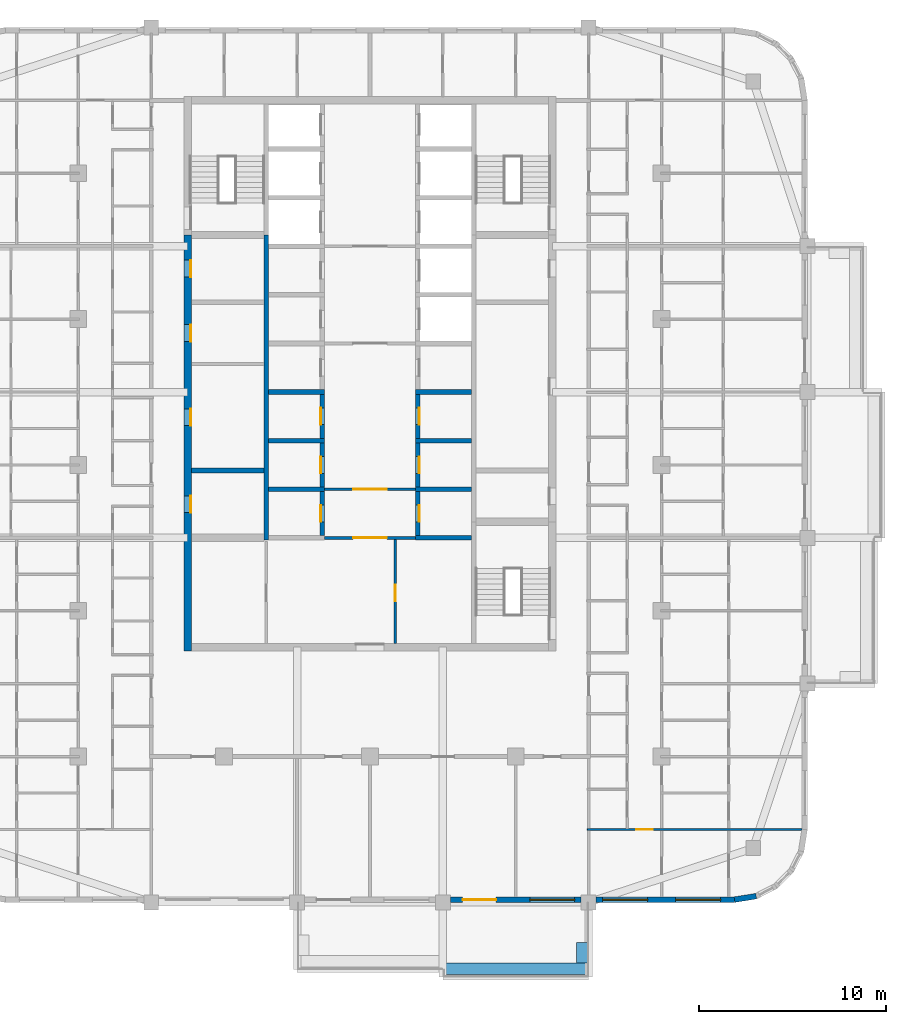
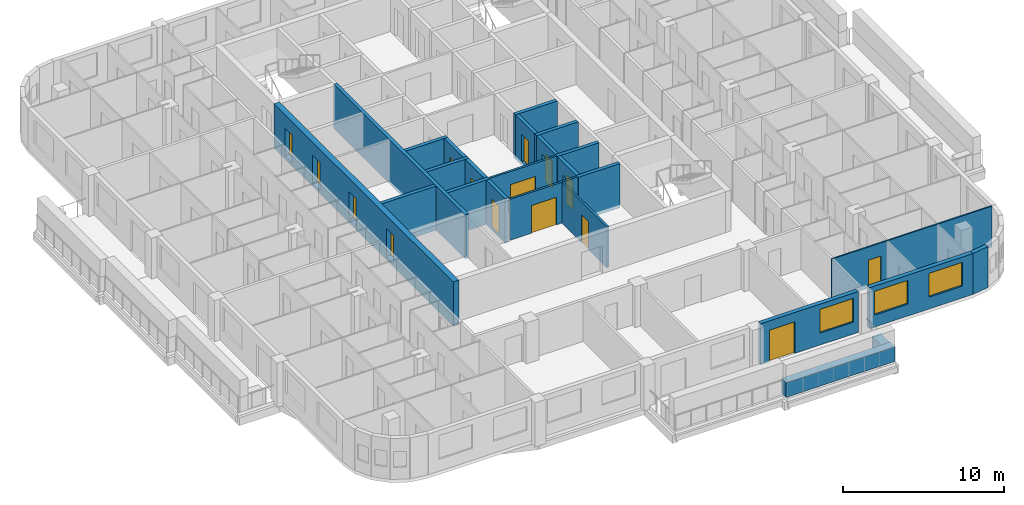
# One storey, part 5 of 16: 25 walls, 15 doors, 3 windows, 18 openings.
"""IFC4 building model written with IfcOpenShell, lengths in metres."""

from ifc_helpers import new_model, si_unit, direction, frame, frame_2d, origin, place, context, subcontext, project, spatial, rectangle, extrude, material, layer, layer_set, type_object, element, fill, save


model = new_model("IFC4")

# Units and contexts
model_context = context("Model", 3, precision=1e-05, world=origin(), true_north=direction((0.0, 1.0)))
body_context = subcontext(model_context, "Body", "Model", "MODEL_VIEW")
ifc_project = project(units=[si_unit("LENGTHUNIT", "METRE"), si_unit("AREAUNIT", "SQUARE_METRE"), si_unit("VOLUMEUNIT", "CUBIC_METRE"), si_unit("PLANEANGLEUNIT", "RADIAN"), si_unit("MASSUNIT", "GRAM", prefix="KILO")], contexts=[model_context])

# Site, building, storey
site_placement = place(None, origin())
site = spatial("IfcSite", under=ifc_project, at=site_placement, CompositionType="ELEMENT")
building_placement = place(site_placement, origin())
building = spatial("IfcBuilding", under=site, at=building_placement, Name="Ludao Terraces", CompositionType="ELEMENT")
storey_placement = place(building_placement, frame((0.0, 0.0, 238.10009765625)))
storey = spatial("IfcBuildingStorey", under=building, at=storey_placement, Name="L65", CompositionType="ELEMENT", Elevation=238.10009765625)

# Wall, openings, doors
ifc_material_1 = material(Name="Concrete C50", Category="concrete")
ifc_layer_1 = layer(ifc_material_1, 0.39990234375)
ifc_layer_set_1 = layer_set([ifc_layer_1], Name="Core wall 400 C50")
wall_type_1 = type_object("IfcWallType", Name="Core wall 400 C50", PredefinedType="SOLIDWALL", material=ifc_layer_set_1)
wall_1_placement = place(storey_placement, frame((75.25, 55.050048828125, -0.25), z_axis=(0.0, 0.0, 1.0), x_axis=(0.0, 1.0, 0.0)))
wall_1 = element("IfcWall", 1, at=wall_1_placement, inside=storey, type_object=wall_type_1, Name="Core wall L65 outer-W", PredefinedType="SOLIDWALL", context=body_context, shape_type="SweptSolid", body=[
    extrude(rectangle(XDim=22.25, YDim=0.39990234375, at=frame_2d((11.125, 0.0))), origin(), (0.0, 0.0, 1.0), 3.349853515625),
])
opening_1_placement = place(wall_1_placement, frame((7.39990234375, 0.0, 0.25)))
opening_1 = element("IfcOpeningElement", 2, at=opening_1_placement, cuts=wall_1, Name="Opening R23-058", PredefinedType="OPENING", context=body_context, shape_type="SweptSolid", body=[
    extrude(rectangle(XDim=0.89990234375, YDim=2.10009765625, at=frame_2d((0.449951171875, 1.050048828125))), frame((0.0, 0.2099609375, 0.0), z_axis=(0.0, -1.0, 0.0), x_axis=(1.0, 0.0, 0.0)), (0.0, 0.0, 1.0), 0.419921875),
])
opening_2_placement = place(wall_1_placement, frame((12.050048828125, 0.0, 0.25)))
opening_2 = element("IfcOpeningElement", 3, at=opening_2_placement, cuts=wall_1, Name="Opening R23-074", PredefinedType="OPENING", context=body_context, shape_type="SweptSolid", body=[
    extrude(rectangle(XDim=0.89990234375, YDim=2.10009765625, at=frame_2d((0.449951171875, 1.050048828125))), frame((0.0, 0.2099609375, 0.0), z_axis=(0.0, -1.0, 0.0), x_axis=(1.0, 0.0, 0.0)), (0.0, 0.0, 1.0), 0.419921875),
])
opening_3_placement = place(wall_1_placement, frame((16.550048828125, 0.0, 0.25)))
opening_3 = element("IfcOpeningElement", 4, at=opening_3_placement, cuts=wall_1, Name="Opening R23-093", PredefinedType="OPENING", context=body_context, shape_type="SweptSolid", body=[
    extrude(rectangle(XDim=0.89990234375, YDim=2.10009765625, at=frame_2d((0.449951171875, 1.050048828125))), frame((0.0, 0.2099609375, 0.0), z_axis=(0.0, -1.0, 0.0), x_axis=(1.0, 0.0, 0.0)), (0.0, 0.0, 1.0), 0.419921875),
])
opening_4_placement = place(wall_1_placement, frame((20.0, 0.0, 0.25)))
opening_4 = element("IfcOpeningElement", 5, at=opening_4_placement, cuts=wall_1, Name="Opening R23-104", PredefinedType="OPENING", context=body_context, shape_type="SweptSolid", body=[
    extrude(rectangle(XDim=0.89990234375, YDim=2.10009765625, at=frame_2d((0.449951171875, 1.050048828125))), frame((0.0, 0.2099609375, 0.0), z_axis=(0.0, -1.0, 0.0), x_axis=(1.0, 0.0, 0.0)), (0.0, 0.0, 1.0), 0.419921875),
])
ifc_material_2 = material(Name="Steel Q235", Category="steel")
door_type_1 = type_object("IfcDoorType", Name="INT Riser door 900", OperationType="SINGLE_SWING_LEFT", PredefinedType="DOOR", material=ifc_material_2)
door_1_placement = place(opening_1_placement, origin())
door_1 = element("IfcDoor", 6, at=door_1_placement, inside=storey, type_object=door_type_1, Name="DOOR 058", OperationType="SINGLE_SWING_RIGHT", OverallHeight=2.10009765625, OverallWidth=0.89990234375, PredefinedType="DOOR", context=body_context, shape_type="SweptSolid", body=[
    extrude(rectangle(XDim=0.89990234375, YDim=2.10009765625, at=frame_2d((0.449951171875, 1.050048828125))), frame((0.0, -0.134765625, 0.0), z_axis=(0.0, -1.0, 0.0), x_axis=(1.0, 0.0, 0.0)), (0.0, 0.0, 1.0), 0.050048828125),
])
fill(opening_1, door_1)
door_2_placement = place(opening_4_placement, origin())
door_2 = element("IfcDoor", 7, at=door_2_placement, inside=storey, type_object=door_type_1, Name="DOOR 104", OperationType="SINGLE_SWING_LEFT", OverallHeight=2.10009765625, OverallWidth=0.89990234375, PredefinedType="DOOR", context=body_context, shape_type="SweptSolid", body=[
    extrude(rectangle(XDim=0.89990234375, YDim=2.10009765625, at=frame_2d((0.449951171875, 1.050048828125))), frame((0.0, -0.134765625, 0.0), z_axis=(0.0, -1.0, 0.0), x_axis=(1.0, 0.0, 0.0)), (0.0, 0.0, 1.0), 0.050048828125),
])
fill(opening_4, door_2)
ifc_material_3 = material(Name="Timber door leaf", Category="wood")
door_type_2 = type_object("IfcDoorType", Name="INT Room door 900", OperationType="SINGLE_SWING_LEFT", PredefinedType="DOOR", material=ifc_material_3)
door_3_placement = place(opening_2_placement, origin())
door_3 = element("IfcDoor", 8, at=door_3_placement, inside=storey, type_object=door_type_2, Name="DOOR 074", OperationType="SINGLE_SWING_RIGHT", OverallHeight=2.10009765625, OverallWidth=0.89990234375, PredefinedType="DOOR", context=body_context, shape_type="SweptSolid", body=[
    extrude(rectangle(XDim=0.89990234375, YDim=2.10009765625, at=frame_2d((0.449951171875, 1.050048828125))), frame((0.0, -0.134765625, 0.0), z_axis=(0.0, -1.0, 0.0), x_axis=(1.0, 0.0, 0.0)), (0.0, 0.0, 1.0), 0.050048828125),
])
fill(opening_2, door_3)
door_4_placement = place(opening_3_placement, origin())
door_4 = element("IfcDoor", 9, at=door_4_placement, inside=storey, type_object=door_type_2, Name="DOOR 093", OperationType="SINGLE_SWING_LEFT", OverallHeight=2.10009765625, OverallWidth=0.89990234375, PredefinedType="DOOR", context=body_context, shape_type="SweptSolid", body=[
    extrude(rectangle(XDim=0.89990234375, YDim=2.10009765625, at=frame_2d((0.449951171875, 1.050048828125))), frame((0.0, -0.134765625, 0.0), z_axis=(0.0, -1.0, 0.0), x_axis=(1.0, 0.0, 0.0)), (0.0, 0.0, 1.0), 0.050048828125),
])
fill(opening_3, door_4)

# Walls
ifc_material_4 = material(Name="Concrete C40", Category="concrete")
ifc_layer_2 = layer(ifc_material_4, 0.60009765625)
ifc_layer_set_2 = layer_set([ifc_layer_2], Name="ENV Planter trough 600")
wall_type_2 = type_object("IfcWallType", Name="ENV Planter trough 600", PredefinedType="USERDEFINED", material=ifc_layer_set_2)
wall_2_placement = place(storey_placement, frame((88.89990234375, 38.050048828125, 0.0), z_axis=(0.0, 0.0, 1.0), x_axis=(1.0, 0.0, 0.0)))
element("IfcWall", 10, at=wall_2_placement, inside=storey, type_object=wall_type_2, Name="PL-L65-S3", ObjectType="PLANTER", PredefinedType="USERDEFINED", context=body_context, shape_type="SweptSolid", body=[
    extrude(rectangle(XDim=7.800048828125, YDim=0.60009765625, at=frame_2d((3.89990234375, 0.0))), origin(), (0.0, 0.0, 1.0), 1.099853515625),
])
wall_3_placement = place(storey_placement, frame((96.35009765625, 38.35009765625, 0.0), z_axis=(0.0, 0.0, 1.0), x_axis=(0.0, 1.0, 0.0)))
element("IfcWall", 11, at=wall_3_placement, inside=storey, type_object=wall_type_2, Name="PL-L65-S3-SB", ObjectType="PLANTER", PredefinedType="USERDEFINED", context=body_context, shape_type="SweptSolid", body=[
    extrude(rectangle(XDim=1.099853515625, YDim=0.60009765625, at=frame_2d((0.5498046875, 0.0))), origin(), (0.0, 0.0, 1.0), 1.099853515625),
])

# Wall, openings, door, window
ifc_material_5 = material(Name="Granite cladding", Category="masonry")
ifc_layer_3 = layer(ifc_material_5, 0.0400390625, Category="stone")
ifc_material_6 = material(Name="Mineral wool")
ifc_layer_4 = layer(ifc_material_6, 0.06005859375)
ifc_layer_5 = layer(ifc_material_4, 0.199951171875, Category="concrete")
ifc_layer_set_3 = layer_set([ifc_layer_3, ifc_layer_4, ifc_layer_5], Name="ENV Stone-clad wall 300")
wall_type_3 = type_object("IfcWallType", Name="ENV Stone-clad wall 300", PredefinedType="SOLIDWALL", material=ifc_layer_set_3)
wall_4_placement = place(storey_placement, frame((89.300048828125, 41.75, 0.0), z_axis=(0.0, 0.0, 1.0), x_axis=(1.0, 0.0, 0.0)))
wall_4 = element("IfcWall", 12, at=wall_4_placement, inside=storey, type_object=wall_type_3, Name="EW-L65-S4", PredefinedType="SOLIDWALL", context=body_context, shape_type="SweptSolid", body=[
    extrude(rectangle(XDim=7.0, YDim=0.300048828125, at=frame_2d((3.5, 0.0))), origin(), (0.0, 0.0, 1.0), 3.099853515625),
])
opening_5_placement = place(wall_4_placement, frame((0.64990234375, 0.0, 0.0)))
opening_5 = element("IfcOpeningElement", 13, at=opening_5_placement, cuts=wall_4, Name="Opening BD", PredefinedType="OPENING", context=body_context, shape_type="SweptSolid", body=[
    extrude(rectangle(XDim=1.800048828125, YDim=2.39990234375, at=frame_2d((0.89990234375, 1.199951171875))), frame((0.0, 0.16015625, 0.0), z_axis=(0.0, -1.0, 0.0), x_axis=(1.0, 0.0, 0.0)), (0.0, 0.0, 1.0), 0.320068359375),
])
opening_6_placement = place(wall_4_placement, frame((4.25, 0.0, 0.89990234375)))
opening_6 = element("IfcOpeningElement", 14, at=opening_6_placement, cuts=wall_4, Name="Opening W1", PredefinedType="OPENING", context=body_context, shape_type="SweptSolid", body=[
    extrude(rectangle(XDim=2.39990234375, YDim=1.800048828125, at=frame_2d((1.199951171875, 0.89990234375))), frame((0.0, 0.16015625, 0.0), z_axis=(0.0, -1.0, 0.0), x_axis=(1.0, 0.0, 0.0)), (0.0, 0.0, 1.0), 0.320068359375),
])
ifc_material_7 = material(Name="Aluminium glazed door", Category="aluminium")
ifc_layer_6 = layer(ifc_material_7, 0.06005859375)
ifc_layer_set_4 = layer_set([ifc_layer_6], Name="ENV Balcony door BD 1800x2400")
door_type_3 = type_object("IfcDoorType", Name="ENV Balcony door BD 1800x2400", OperationType="DOUBLE_DOOR_SINGLE_SWING", PredefinedType="DOOR", material=ifc_layer_set_4)
door_5_placement = place(opening_5_placement, origin())
door_5 = element("IfcDoor", 15, at=door_5_placement, inside=storey, type_object=door_type_3, Name="BD-L65-S4-1", OperationType="DOUBLE_DOOR_SINGLE_SWING", OverallHeight=2.39990234375, OverallWidth=1.800048828125, PredefinedType="DOOR", context=body_context, shape_type="SweptSolid", body=[
    extrude(rectangle(XDim=1.800048828125, YDim=2.39990234375, at=frame_2d((0.89990234375, 1.199951171875))), frame((0.0, 0.02490234375, 0.0), z_axis=(0.0, -1.0, 0.0), x_axis=(1.0, 0.0, 0.0)), (0.0, 0.0, 1.0), 0.050048828125),
])
fill(opening_5, door_5)
ifc_material_8 = material(Name="Clear glass in aluminium frame", Category="aluminium")
ifc_layer_7 = layer(ifc_material_8, 0.06005859375)
ifc_layer_set_5 = layer_set([ifc_layer_7], Name="ENV Window W1 2400x1800")
window_type = type_object("IfcWindowType", Name="ENV Window W1 2400x1800", PartitioningType="DOUBLE_PANEL_VERTICAL", PredefinedType="WINDOW", material=ifc_layer_set_5)
window_1_placement = place(opening_6_placement, origin())
window_1 = element("IfcWindow", 16, at=window_1_placement, inside=storey, type_object=window_type, Name="W-L65-S4-2", OverallHeight=1.800048828125, OverallWidth=2.39990234375, PartitioningType="DOUBLE_PANEL_VERTICAL", PredefinedType="WINDOW", context=body_context, shape_type="SweptSolid", body=[
    extrude(rectangle(XDim=2.39990234375, YDim=1.800048828125, at=frame_2d((1.199951171875, 0.89990234375))), frame((0.0, 0.030029296875, 0.0), z_axis=(0.0, -1.0, 0.0), x_axis=(1.0, 0.0, 0.0)), (0.0, 0.0, 1.0), 0.06005859375),
])
fill(opening_6, window_1)

# Wall, openings, windows
wall_5_placement = place(storey_placement, frame((97.10009765625, 41.75, 0.0), z_axis=(0.0, 0.0, 1.0), x_axis=(1.0, 0.0, 0.0)))
wall_5 = element("IfcWall", 17, at=wall_5_placement, inside=storey, type_object=wall_type_3, Name="EW-L65-S5", PredefinedType="SOLIDWALL", context=body_context, shape_type="SweptSolid", body=[
    extrude(rectangle(XDim=7.39990234375, YDim=0.300048828125, at=frame_2d((3.699951171875, 0.0))), origin(), (0.0, 0.0, 1.0), 3.099853515625),
])
opening_7_placement = place(wall_5_placement, frame((0.35009765625, 0.0, 0.89990234375)))
opening_7 = element("IfcOpeningElement", 18, at=opening_7_placement, cuts=wall_5, Name="Opening W1", PredefinedType="OPENING", context=body_context, shape_type="SweptSolid", body=[
    extrude(rectangle(XDim=2.39990234375, YDim=1.800048828125, at=frame_2d((1.199951171875, 0.89990234375))), frame((0.0, 0.16015625, 0.0), z_axis=(0.0, -1.0, 0.0), x_axis=(1.0, 0.0, 0.0)), (0.0, 0.0, 1.0), 0.320068359375),
])
opening_8_placement = place(wall_5_placement, frame((4.25, 0.0, 0.89990234375)))
opening_8 = element("IfcOpeningElement", 19, at=opening_8_placement, cuts=wall_5, Name="Opening W1", PredefinedType="OPENING", context=body_context, shape_type="SweptSolid", body=[
    extrude(rectangle(XDim=2.39990234375, YDim=1.800048828125, at=frame_2d((1.199951171875, 0.89990234375))), frame((0.0, 0.16015625, 0.0), z_axis=(0.0, -1.0, 0.0), x_axis=(1.0, 0.0, 0.0)), (0.0, 0.0, 1.0), 0.320068359375),
])
window_2_placement = place(opening_7_placement, origin())
window_2 = element("IfcWindow", 20, at=window_2_placement, inside=storey, type_object=window_type, Name="W-L65-S5-1", OverallHeight=1.800048828125, OverallWidth=2.39990234375, PartitioningType="DOUBLE_PANEL_VERTICAL", PredefinedType="WINDOW", context=body_context, shape_type="SweptSolid", body=[
    extrude(rectangle(XDim=2.39990234375, YDim=1.800048828125, at=frame_2d((1.199951171875, 0.89990234375))), frame((0.0, 0.030029296875, 0.0), z_axis=(0.0, -1.0, 0.0), x_axis=(1.0, 0.0, 0.0)), (0.0, 0.0, 1.0), 0.06005859375),
])
fill(opening_7, window_2)
window_3_placement = place(opening_8_placement, origin())
window_3 = element("IfcWindow", 21, at=window_3_placement, inside=storey, type_object=window_type, Name="W-L65-S5-2", OverallHeight=1.800048828125, OverallWidth=2.39990234375, PartitioningType="DOUBLE_PANEL_VERTICAL", PredefinedType="WINDOW", context=body_context, shape_type="SweptSolid", body=[
    extrude(rectangle(XDim=2.39990234375, YDim=1.800048828125, at=frame_2d((1.199951171875, 0.89990234375))), frame((0.0, 0.030029296875, 0.0), z_axis=(0.0, -1.0, 0.0), x_axis=(1.0, 0.0, 0.0)), (0.0, 0.0, 1.0), 0.06005859375),
])
fill(opening_8, window_3)

# Wall
wall_6_placement = place(storey_placement, frame((104.5, 41.75, 0.0), z_axis=(0.0, 0.0, 1.0), x_axis=(0.987678452879, 0.156496880861, 0.0)))
element("IfcWall", 22, at=wall_6_placement, inside=storey, type_object=wall_type_3, Name="EW-L65-SE1", PredefinedType="SOLIDWALL", context=body_context, shape_type="SweptSolid", body=[
    extrude(rectangle(XDim=1.173095703125, YDim=0.300048828125, at=frame_2d((0.58642578125, 0.0))), origin(), (0.0, 0.0, 1.0), 3.099853515625),
])

# Wall, opening, door
ifc_material_9 = material(Name="Fire-rated gypsum plasterboard", Category="gypsum")
ifc_layer_8 = layer(ifc_material_9, 0.012451171875, Category="gypsum")
ifc_layer_9 = layer(ifc_material_6, 0.10009765625, Name="insulation")
ifc_layer_10 = layer(ifc_material_2, 0.02490234375, Name="stud")
ifc_layer_11 = layer(ifc_material_9, 0.012451171875, Category="gypsum")
ifc_layer_set_6 = layer_set([ifc_layer_8, ifc_layer_9, ifc_layer_10, ifc_layer_11], Name="INT Core partition 150")
wall_type_4 = type_object("IfcWallType", Name="INT Core partition 150", PredefinedType="PARTITIONING", material=ifc_layer_set_6)
wall_7_placement = place(storey_placement, frame((82.5751953125, 61.10009765625, 0.0), z_axis=(0.0, 0.0, 1.0), x_axis=(1.0, 0.0, 0.0)))
wall_7 = element("IfcWall", 23, at=wall_7_placement, inside=storey, type_object=wall_type_4, Name="PW-L65-PW028", PredefinedType="PARTITIONING", context=body_context, shape_type="SweptSolid", body=[
    extrude(rectangle(XDim=4.849853515625, YDim=0.14990234375, at=frame_2d((2.4248046875, 0.0))), origin(), (0.0, 0.0, 1.0), 3.099853515625),
])
opening_9_placement = place(wall_7_placement, frame((1.52490234375, 0.0, 0.0)))
opening_9 = element("IfcOpeningElement", 24, at=opening_9_placement, cuts=wall_7, Name="Opening R23-051", PredefinedType="OPENING", context=body_context, shape_type="SweptSolid", body=[
    extrude(rectangle(XDim=1.800048828125, YDim=2.10009765625, at=frame_2d((0.89990234375, 1.050048828125))), frame((0.0, 0.0849609375, 0.0), z_axis=(0.0, -1.0, 0.0), x_axis=(1.0, 0.0, 0.0)), (0.0, 0.0, 1.0), 0.169921875),
])
door_type_4 = type_object("IfcDoorType", Name="INT Fire lobby door 1800", OperationType="DOUBLE_DOOR_SINGLE_SWING", PredefinedType="DOOR", material=ifc_material_2)
door_6_placement = place(opening_9_placement, origin())
door_6 = element("IfcDoor", 25, at=door_6_placement, inside=storey, type_object=door_type_4, Name="DOOR 051", OperationType="DOUBLE_DOOR_SINGLE_SWING", OverallHeight=2.10009765625, OverallWidth=1.800048828125, PredefinedType="DOOR", context=body_context, shape_type="SweptSolid", body=[
    extrude(rectangle(XDim=1.800048828125, YDim=2.10009765625, at=frame_2d((0.89990234375, 1.050048828125))), frame((0.0, 0.02490234375, 0.0), z_axis=(0.0, -1.0, 0.0), x_axis=(1.0, 0.0, 0.0)), (0.0, 0.0, 1.0), 0.050048828125),
])
fill(opening_9, door_6)

wall_8_placement = place(storey_placement, frame((82.5751953125, 63.699951171875, 0.0), z_axis=(0.0, 0.0, 1.0), x_axis=(1.0, 0.0, 0.0)))
wall_8 = element("IfcWall", 26, at=wall_8_placement, inside=storey, type_object=wall_type_4, Name="PW-L65-PW034", PredefinedType="PARTITIONING", context=body_context, shape_type="SweptSolid", body=[
    extrude(rectangle(XDim=4.849853515625, YDim=0.14990234375, at=frame_2d((2.4248046875, 0.0))), origin(), (0.0, 0.0, 1.0), 3.099853515625),
])
opening_10_placement = place(wall_8_placement, frame((1.52490234375, 0.0, 0.0)))
opening_10 = element("IfcOpeningElement", 27, at=opening_10_placement, cuts=wall_8, Name="Opening R23-060", PredefinedType="OPENING", context=body_context, shape_type="SweptSolid", body=[
    extrude(rectangle(XDim=1.800048828125, YDim=2.10009765625, at=frame_2d((0.89990234375, 1.050048828125))), frame((0.0, 0.0849609375, 0.0), z_axis=(0.0, -1.0, 0.0), x_axis=(1.0, 0.0, 0.0)), (0.0, 0.0, 1.0), 0.169921875),
])
door_7_placement = place(opening_10_placement, origin())
door_7 = element("IfcDoor", 28, at=door_7_placement, inside=storey, type_object=door_type_4, Name="DOOR 060", OperationType="DOUBLE_DOOR_SINGLE_SWING", OverallHeight=2.10009765625, OverallWidth=1.800048828125, PredefinedType="DOOR", context=body_context, shape_type="SweptSolid", body=[
    extrude(rectangle(XDim=1.800048828125, YDim=2.10009765625, at=frame_2d((0.89990234375, 1.050048828125))), frame((0.0, 0.02490234375, 0.0), z_axis=(0.0, -1.0, 0.0), x_axis=(1.0, 0.0, 0.0)), (0.0, 0.0, 1.0), 0.050048828125),
])
fill(opening_10, door_7)

wall_9_placement = place(storey_placement, frame((86.35009765625, 55.4501953125, 0.0), z_axis=(0.0, 0.0, 1.0), x_axis=(0.0, 1.0, 0.0)))
wall_9 = element("IfcWall", 29, at=wall_9_placement, inside=storey, type_object=wall_type_4, Name="PW-L65-PW088", PredefinedType="PARTITIONING", context=body_context, shape_type="SweptSolid", body=[
    extrude(rectangle(XDim=5.574951171875, YDim=0.14990234375, at=frame_2d((2.78759765625, 0.0))), origin(), (0.0, 0.0, 1.0), 3.099853515625),
])
opening_11_placement = place(wall_9_placement, frame((2.25, 0.0, 0.0)))
opening_11 = element("IfcOpeningElement", 30, at=opening_11_placement, cuts=wall_9, Name="Opening R23-042", PredefinedType="OPENING", context=body_context, shape_type="SweptSolid", body=[
    extrude(rectangle(XDim=0.89990234375, YDim=2.10009765625, at=frame_2d((0.449951171875, 1.050048828125))), frame((0.0, 0.0849609375, 0.0), z_axis=(0.0, -1.0, 0.0), x_axis=(1.0, 0.0, 0.0)), (0.0, 0.0, 1.0), 0.169921875),
])
door_8_placement = place(opening_11_placement, origin())
door_8 = element("IfcDoor", 31, at=door_8_placement, inside=storey, type_object=door_type_2, Name="DOOR 042", OperationType="SINGLE_SWING_RIGHT", OverallHeight=2.10009765625, OverallWidth=0.89990234375, PredefinedType="DOOR", context=body_context, shape_type="SweptSolid", body=[
    extrude(rectangle(XDim=0.89990234375, YDim=2.10009765625, at=frame_2d((0.449951171875, 1.050048828125))), frame((0.0, 0.02490234375, 0.0), z_axis=(0.0, -1.0, 0.0), x_axis=(1.0, 0.0, 0.0)), (0.0, 0.0, 1.0), 0.050048828125),
])
fill(opening_11, door_8)

ifc_material_10 = material(Name="Gypsum plasterboard", Category="gypsum")
ifc_layer_12 = layer(ifc_material_10, 0.012451171875, Category="gypsum")
ifc_layer_13 = layer(ifc_material_6, 0.06005859375, Name="insulation")
ifc_layer_14 = layer(ifc_material_2, 0.014892578125, Name="stud")
ifc_layer_15 = layer(ifc_material_10, 0.012451171875, Category="gypsum")
ifc_layer_set_7 = layer_set([ifc_layer_12, ifc_layer_13, ifc_layer_14, ifc_layer_15], Name="INT Partition 100")
wall_type_5 = type_object("IfcWallType", Name="INT Partition 100", PredefinedType="PARTITIONING", material=ifc_layer_set_7)
wall_10_placement = place(storey_placement, frame((96.625, 45.5, 0.0), z_axis=(0.0, 0.0, 1.0), x_axis=(1.0, 0.0, 0.0)))
wall_10 = element("IfcWall", 32, at=wall_10_placement, inside=storey, type_object=wall_type_5, Name="PW-L65-PW001", PredefinedType="PARTITIONING", context=body_context, shape_type="SweptSolid", body=[
    extrude(rectangle(XDim=11.47509765625, YDim=0.10009765625, at=frame_2d((5.737548828125, 0.0))), origin(), (0.0, 0.0, 1.0), 3.099853515625),
])
opening_12_placement = place(wall_10_placement, frame((2.610107421875, 0.0, 0.0)))
opening_12 = element("IfcOpeningElement", 33, at=opening_12_placement, cuts=wall_10, Name="Opening R23-006", PredefinedType="OPENING", context=body_context, shape_type="SweptSolid", body=[
    extrude(rectangle(XDim=0.89990234375, YDim=2.10009765625, at=frame_2d((0.449951171875, 1.050048828125))), frame((0.0, 0.06005859375, 0.0), z_axis=(0.0, -1.0, 0.0), x_axis=(1.0, 0.0, 0.0)), (0.0, 0.0, 1.0), 0.1201171875),
])
door_9_placement = place(opening_12_placement, origin())
door_9 = element("IfcDoor", 34, at=door_9_placement, inside=storey, type_object=door_type_2, Name="DOOR 006", OperationType="SINGLE_SWING_RIGHT", OverallHeight=2.10009765625, OverallWidth=0.89990234375, PredefinedType="DOOR", context=body_context, shape_type="SweptSolid", body=[
    extrude(rectangle(XDim=0.89990234375, YDim=2.10009765625, at=frame_2d((0.449951171875, 1.050048828125))), frame((0.0, 0.02490234375, 0.0), z_axis=(0.0, -1.0, 0.0), x_axis=(1.0, 0.0, 0.0)), (0.0, 0.0, 1.0), 0.050048828125),
])
fill(opening_12, door_9)

# Wall
ifc_layer_16 = layer(ifc_material_1, 0.25)
ifc_layer_set_8 = layer_set([ifc_layer_16], Name="Shaft wall 250 C50")
wall_type_6 = type_object("IfcWallType", Name="Shaft wall 250 C50", PredefinedType="SOLIDWALL", material=ifc_layer_set_8)
wall_11_placement = place(storey_placement, frame((79.449951171875, 60.97509765625, -0.25), z_axis=(0.0, 0.0, 1.0), x_axis=(0.0, 1.0, 0.0)))
element("IfcWall", 35, at=wall_11_placement, inside=storey, type_object=wall_type_6, Name="Core wall L65 back-W", PredefinedType="SOLIDWALL", context=body_context, shape_type="SweptSolid", body=[
    extrude(rectangle(XDim=16.324951171875, YDim=0.25, at=frame_2d((8.16259765625, 0.0))), origin(), (0.0, 0.0, 1.0), 3.349853515625),
])

# Wall, opening, door
wall_12_placement = place(storey_placement, frame((82.449951171875, 61.22509765625, -0.25), z_axis=(0.0, 0.0, 1.0), x_axis=(0.0, 1.0, 0.0)))
wall_12 = element("IfcWall", 36, at=wall_12_placement, inside=storey, type_object=wall_type_6, Name="Core wall L65 front-W1", PredefinedType="SOLIDWALL", context=body_context, shape_type="SweptSolid", body=[
    extrude(rectangle(XDim=2.349853515625, YDim=0.25, at=frame_2d((1.1748046875, 0.0))), origin(), (0.0, 0.0, 1.0), 3.349853515625),
])
opening_13_placement = place(wall_12_placement, frame((0.72509765625, 0.0, 0.25)))
opening_13 = element("IfcOpeningElement", 37, at=opening_13_placement, cuts=wall_12, Name="Opening R23-056", PredefinedType="OPENING", context=body_context, shape_type="SweptSolid", body=[
    extrude(rectangle(XDim=0.89990234375, YDim=2.10009765625, at=frame_2d((0.449951171875, 1.050048828125))), frame((0.0, 0.135009765625, 0.0), z_axis=(0.0, -1.0, 0.0), x_axis=(1.0, 0.0, 0.0)), (0.0, 0.0, 1.0), 0.27001953125),
])
door_10_placement = place(opening_13_placement, origin())
door_10 = element("IfcDoor", 38, at=door_10_placement, inside=storey, type_object=door_type_2, Name="DOOR 056", OperationType="SINGLE_SWING_LEFT", OverallHeight=2.10009765625, OverallWidth=0.89990234375, PredefinedType="DOOR", context=body_context, shape_type="SweptSolid", body=[
    extrude(rectangle(XDim=0.89990234375, YDim=2.10009765625, at=frame_2d((0.449951171875, 1.050048828125))), frame((0.0, 0.10986328125, 0.0), z_axis=(0.0, -1.0, 0.0), x_axis=(1.0, 0.0, 0.0)), (0.0, 0.0, 1.0), 0.050048828125),
])
fill(opening_13, door_10)

# Wall
wall_13_placement = place(storey_placement, frame((79.574951171875, 63.699951171875, -0.25), z_axis=(0.0, 0.0, 1.0), x_axis=(1.0, 0.0, 0.0)))
element("IfcWall", 39, at=wall_13_placement, inside=storey, type_object=wall_type_6, Name="Core wall L65 div-W2", PredefinedType="SOLIDWALL", context=body_context, shape_type="SweptSolid", body=[
    extrude(rectangle(XDim=3.0, YDim=0.25, at=frame_2d((1.5, 0.0))), origin(), (0.0, 0.0, 1.0), 3.349853515625),
])

# Wall, opening, door
wall_14_placement = place(storey_placement, frame((82.449951171875, 63.824951171875, -0.25), z_axis=(0.0, 0.0, 1.0), x_axis=(0.0, 1.0, 0.0)))
wall_14 = element("IfcWall", 40, at=wall_14_placement, inside=storey, type_object=wall_type_6, Name="Core wall L65 front-W2", PredefinedType="SOLIDWALL", context=body_context, shape_type="SweptSolid", body=[
    extrude(rectangle(XDim=2.35009765625, YDim=0.25, at=frame_2d((1.175048828125, 0.0))), origin(), (0.0, 0.0, 1.0), 3.349853515625),
])
opening_14_placement = place(wall_14_placement, frame((0.72509765625, 0.0, 0.25)))
opening_14 = element("IfcOpeningElement", 41, at=opening_14_placement, cuts=wall_14, Name="Opening R23-067", PredefinedType="OPENING", context=body_context, shape_type="SweptSolid", body=[
    extrude(rectangle(XDim=0.89990234375, YDim=2.10009765625, at=frame_2d((0.449951171875, 1.050048828125))), frame((0.0, 0.135009765625, 0.0), z_axis=(0.0, -1.0, 0.0), x_axis=(1.0, 0.0, 0.0)), (0.0, 0.0, 1.0), 0.27001953125),
])
door_11_placement = place(opening_14_placement, origin())
door_11 = element("IfcDoor", 42, at=door_11_placement, inside=storey, type_object=door_type_2, Name="DOOR 067", OperationType="SINGLE_SWING_LEFT", OverallHeight=2.10009765625, OverallWidth=0.89990234375, PredefinedType="DOOR", context=body_context, shape_type="SweptSolid", body=[
    extrude(rectangle(XDim=0.89990234375, YDim=2.10009765625, at=frame_2d((0.449951171875, 1.050048828125))), frame((0.0, 0.10986328125, 0.0), z_axis=(0.0, -1.0, 0.0), x_axis=(1.0, 0.0, 0.0)), (0.0, 0.0, 1.0), 0.050048828125),
])
fill(opening_14, door_11)

# Wall
wall_15_placement = place(storey_placement, frame((79.574951171875, 66.300048828125, -0.25), z_axis=(0.0, 0.0, 1.0), x_axis=(1.0, 0.0, 0.0)))
element("IfcWall", 43, at=wall_15_placement, inside=storey, type_object=wall_type_6, Name="Core wall L65 div-W3", PredefinedType="SOLIDWALL", context=body_context, shape_type="SweptSolid", body=[
    extrude(rectangle(XDim=3.0, YDim=0.25, at=frame_2d((1.5, 0.0))), origin(), (0.0, 0.0, 1.0), 3.349853515625),
])

# Wall, opening, door
wall_16_placement = place(storey_placement, frame((82.449951171875, 66.425048828125, -0.25), z_axis=(0.0, 0.0, 1.0), x_axis=(0.0, 1.0, 0.0)))
wall_16 = element("IfcWall", 44, at=wall_16_placement, inside=storey, type_object=wall_type_6, Name="Core wall L65 front-W3", PredefinedType="SOLIDWALL", context=body_context, shape_type="SweptSolid", body=[
    extrude(rectangle(XDim=2.349853515625, YDim=0.25, at=frame_2d((1.1748046875, 0.0))), origin(), (0.0, 0.0, 1.0), 3.349853515625),
])
opening_15_placement = place(wall_16_placement, frame((0.72509765625, 0.0, 0.25)))
opening_15 = element("IfcOpeningElement", 45, at=opening_15_placement, cuts=wall_16, Name="Opening R23-075", PredefinedType="OPENING", context=body_context, shape_type="SweptSolid", body=[
    extrude(rectangle(XDim=0.89990234375, YDim=2.10009765625, at=frame_2d((0.449951171875, 1.050048828125))), frame((0.0, 0.135009765625, 0.0), z_axis=(0.0, -1.0, 0.0), x_axis=(1.0, 0.0, 0.0)), (0.0, 0.0, 1.0), 0.27001953125),
])
door_12_placement = place(opening_15_placement, origin())
door_12 = element("IfcDoor", 46, at=door_12_placement, inside=storey, type_object=door_type_2, Name="DOOR 075", OperationType="SINGLE_SWING_RIGHT", OverallHeight=2.10009765625, OverallWidth=0.89990234375, PredefinedType="DOOR", context=body_context, shape_type="SweptSolid", body=[
    extrude(rectangle(XDim=0.89990234375, YDim=2.10009765625, at=frame_2d((0.449951171875, 1.050048828125))), frame((0.0, 0.10986328125, 0.0), z_axis=(0.0, -1.0, 0.0), x_axis=(1.0, 0.0, 0.0)), (0.0, 0.0, 1.0), 0.050048828125),
])
fill(opening_15, door_12)

# Walls
for number, where, z_axis, x_axis, name in (
    (47, (79.574951171875, 68.89990234375, -0.25), (0.0, 0.0, 1.0), (1.0, 0.0, 0.0), "Core wall L65 div-W4"),
    (48, (87.425048828125, 61.10009765625, -0.25), (0.0, 0.0, 1.0), (1.0, 0.0, 0.0), "Core wall L65 div-E1"),
):
    element("IfcWall", number, at=place(storey_placement, frame(where, z_axis=z_axis, x_axis=x_axis)), inside=storey, type_object=wall_type_6, Name=name, PredefinedType="SOLIDWALL", context=body_context, shape_type="SweptSolid", body=[
        extrude(rectangle(XDim=3.0, YDim=0.25, at=frame_2d((1.5, 0.0))), origin(), (0.0, 0.0, 1.0), 3.349853515625),
    ])

# Wall, opening, door
wall_17_placement = place(storey_placement, frame((87.550048828125, 61.22509765625, -0.25), z_axis=(0.0, 0.0, 1.0), x_axis=(0.0, 1.0, 0.0)))
wall_17 = element("IfcWall", 49, at=wall_17_placement, inside=storey, type_object=wall_type_6, Name="Core wall L65 front-E1", PredefinedType="SOLIDWALL", context=body_context, shape_type="SweptSolid", body=[
    extrude(rectangle(XDim=2.349853515625, YDim=0.25, at=frame_2d((1.1748046875, 0.0))), origin(), (0.0, 0.0, 1.0), 3.349853515625),
])
opening_16_placement = place(wall_17_placement, frame((0.72509765625, 0.0, 0.25)))
opening_16 = element("IfcOpeningElement", 50, at=opening_16_placement, cuts=wall_17, Name="Opening R23-057", PredefinedType="OPENING", context=body_context, shape_type="SweptSolid", body=[
    extrude(rectangle(XDim=0.89990234375, YDim=2.10009765625, at=frame_2d((0.449951171875, 1.050048828125))), frame((0.0, 0.135009765625, 0.0), z_axis=(0.0, -1.0, 0.0), x_axis=(1.0, 0.0, 0.0)), (0.0, 0.0, 1.0), 0.27001953125),
])
door_13_placement = place(opening_16_placement, origin())
door_13 = element("IfcDoor", 51, at=door_13_placement, inside=storey, type_object=door_type_2, Name="DOOR 057", OperationType="SINGLE_SWING_RIGHT", OverallHeight=2.10009765625, OverallWidth=0.89990234375, PredefinedType="DOOR", context=body_context, shape_type="SweptSolid", body=[
    extrude(rectangle(XDim=0.89990234375, YDim=2.10009765625, at=frame_2d((0.449951171875, 1.050048828125))), frame((0.0, -0.06005859375, 0.0), z_axis=(0.0, -1.0, 0.0), x_axis=(1.0, 0.0, 0.0)), (0.0, 0.0, 1.0), 0.050048828125),
])
fill(opening_16, door_13)

# Wall
wall_18_placement = place(storey_placement, frame((87.425048828125, 63.699951171875, -0.25), z_axis=(0.0, 0.0, 1.0), x_axis=(1.0, 0.0, 0.0)))
element("IfcWall", 52, at=wall_18_placement, inside=storey, type_object=wall_type_6, Name="Core wall L65 div-E2", PredefinedType="SOLIDWALL", context=body_context, shape_type="SweptSolid", body=[
    extrude(rectangle(XDim=3.0, YDim=0.25, at=frame_2d((1.5, 0.0))), origin(), (0.0, 0.0, 1.0), 3.349853515625),
])

# Wall, opening, door
wall_19_placement = place(storey_placement, frame((87.550048828125, 63.824951171875, -0.25), z_axis=(0.0, 0.0, 1.0), x_axis=(0.0, 1.0, 0.0)))
wall_19 = element("IfcWall", 53, at=wall_19_placement, inside=storey, type_object=wall_type_6, Name="Core wall L65 front-E2", PredefinedType="SOLIDWALL", context=body_context, shape_type="SweptSolid", body=[
    extrude(rectangle(XDim=2.35009765625, YDim=0.25, at=frame_2d((1.175048828125, 0.0))), origin(), (0.0, 0.0, 1.0), 3.349853515625),
])
opening_17_placement = place(wall_19_placement, frame((0.72509765625, 0.0, 0.25)))
opening_17 = element("IfcOpeningElement", 54, at=opening_17_placement, cuts=wall_19, Name="Opening R23-068", PredefinedType="OPENING", context=body_context, shape_type="SweptSolid", body=[
    extrude(rectangle(XDim=0.89990234375, YDim=2.10009765625, at=frame_2d((0.449951171875, 1.050048828125))), frame((0.0, 0.135009765625, 0.0), z_axis=(0.0, -1.0, 0.0), x_axis=(1.0, 0.0, 0.0)), (0.0, 0.0, 1.0), 0.27001953125),
])
door_14_placement = place(opening_17_placement, origin())
door_14 = element("IfcDoor", 55, at=door_14_placement, inside=storey, type_object=door_type_2, Name="DOOR 068", OperationType="SINGLE_SWING_RIGHT", OverallHeight=2.10009765625, OverallWidth=0.89990234375, PredefinedType="DOOR", context=body_context, shape_type="SweptSolid", body=[
    extrude(rectangle(XDim=0.89990234375, YDim=2.10009765625, at=frame_2d((0.449951171875, 1.050048828125))), frame((0.0, -0.06005859375, 0.0), z_axis=(0.0, -1.0, 0.0), x_axis=(1.0, 0.0, 0.0)), (0.0, 0.0, 1.0), 0.050048828125),
])
fill(opening_17, door_14)

# Wall
wall_20_placement = place(storey_placement, frame((87.425048828125, 66.300048828125, -0.25), z_axis=(0.0, 0.0, 1.0), x_axis=(1.0, 0.0, 0.0)))
element("IfcWall", 56, at=wall_20_placement, inside=storey, type_object=wall_type_6, Name="Core wall L65 div-E3", PredefinedType="SOLIDWALL", context=body_context, shape_type="SweptSolid", body=[
    extrude(rectangle(XDim=3.0, YDim=0.25, at=frame_2d((1.5, 0.0))), origin(), (0.0, 0.0, 1.0), 3.349853515625),
])

# Wall, opening, door
wall_21_placement = place(storey_placement, frame((87.550048828125, 66.425048828125, -0.25), z_axis=(0.0, 0.0, 1.0), x_axis=(0.0, 1.0, 0.0)))
wall_21 = element("IfcWall", 57, at=wall_21_placement, inside=storey, type_object=wall_type_6, Name="Core wall L65 front-E3", PredefinedType="SOLIDWALL", context=body_context, shape_type="SweptSolid", body=[
    extrude(rectangle(XDim=2.349853515625, YDim=0.25, at=frame_2d((1.1748046875, 0.0))), origin(), (0.0, 0.0, 1.0), 3.349853515625),
])
opening_18_placement = place(wall_21_placement, frame((0.72509765625, 0.0, 0.25)))
opening_18 = element("IfcOpeningElement", 58, at=opening_18_placement, cuts=wall_21, Name="Opening R23-076", PredefinedType="OPENING", context=body_context, shape_type="SweptSolid", body=[
    extrude(rectangle(XDim=0.89990234375, YDim=2.10009765625, at=frame_2d((0.449951171875, 1.050048828125))), frame((0.0, 0.135009765625, 0.0), z_axis=(0.0, -1.0, 0.0), x_axis=(1.0, 0.0, 0.0)), (0.0, 0.0, 1.0), 0.27001953125),
])
door_15_placement = place(opening_18_placement, origin())
door_15 = element("IfcDoor", 59, at=door_15_placement, inside=storey, type_object=door_type_2, Name="DOOR 076", OperationType="SINGLE_SWING_LEFT", OverallHeight=2.10009765625, OverallWidth=0.89990234375, PredefinedType="DOOR", context=body_context, shape_type="SweptSolid", body=[
    extrude(rectangle(XDim=0.89990234375, YDim=2.10009765625, at=frame_2d((0.449951171875, 1.050048828125))), frame((0.0, -0.06005859375, 0.0), z_axis=(0.0, -1.0, 0.0), x_axis=(1.0, 0.0, 0.0)), (0.0, 0.0, 1.0), 0.050048828125),
])
fill(opening_18, door_15)

# Walls
wall_22_placement = place(storey_placement, frame((87.425048828125, 68.89990234375, -0.25), z_axis=(0.0, 0.0, 1.0), x_axis=(1.0, 0.0, 0.0)))
element("IfcWall", 60, at=wall_22_placement, inside=storey, type_object=wall_type_6, Name="Core wall L65 div-E4", PredefinedType="SOLIDWALL", context=body_context, shape_type="SweptSolid", body=[
    extrude(rectangle(XDim=3.0, YDim=0.25, at=frame_2d((1.5, 0.0))), origin(), (0.0, 0.0, 1.0), 3.349853515625),
])
wall_23_placement = place(storey_placement, frame((75.449951171875, 64.699951171875, -0.25), z_axis=(0.0, 0.0, 1.0), x_axis=(1.0, 0.0, 0.0)))
element("IfcWall", 61, at=wall_23_placement, inside=storey, type_object=wall_type_6, Name="Core wall L65 riser-a-W", PredefinedType="SOLIDWALL", context=body_context, shape_type="SweptSolid", body=[
    extrude(rectangle(XDim=3.875, YDim=0.25, at=frame_2d((1.9375, 0.0))), origin(), (0.0, 0.0, 1.0), 3.349853515625),
])

save(model, "model.ifc")
